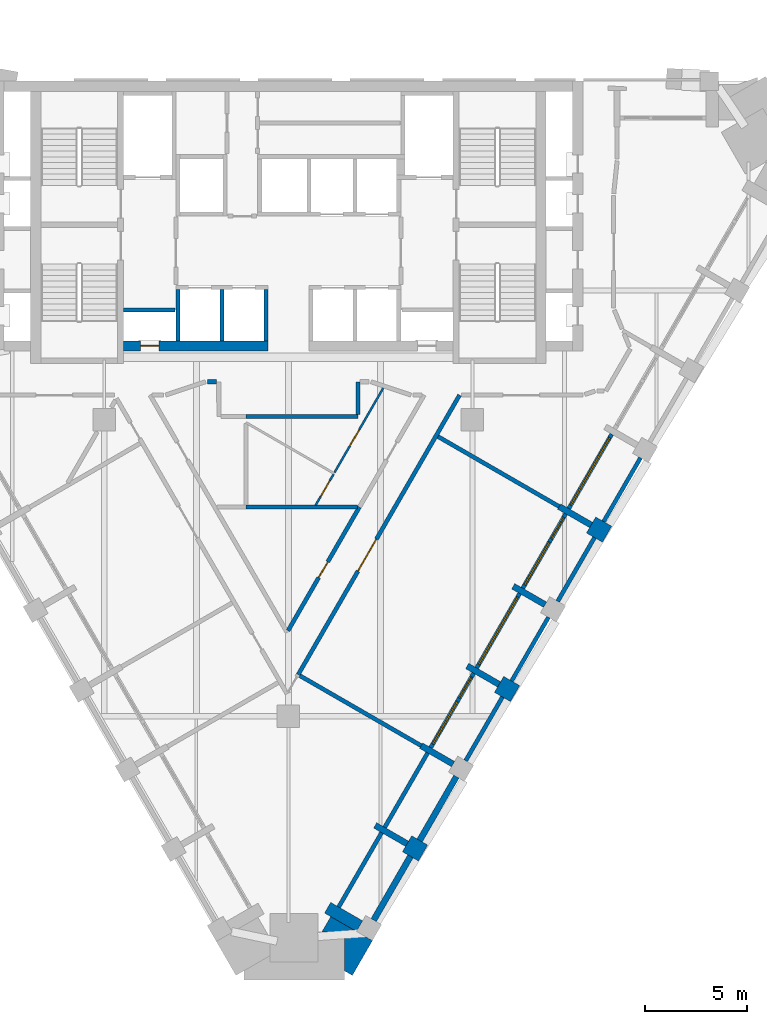
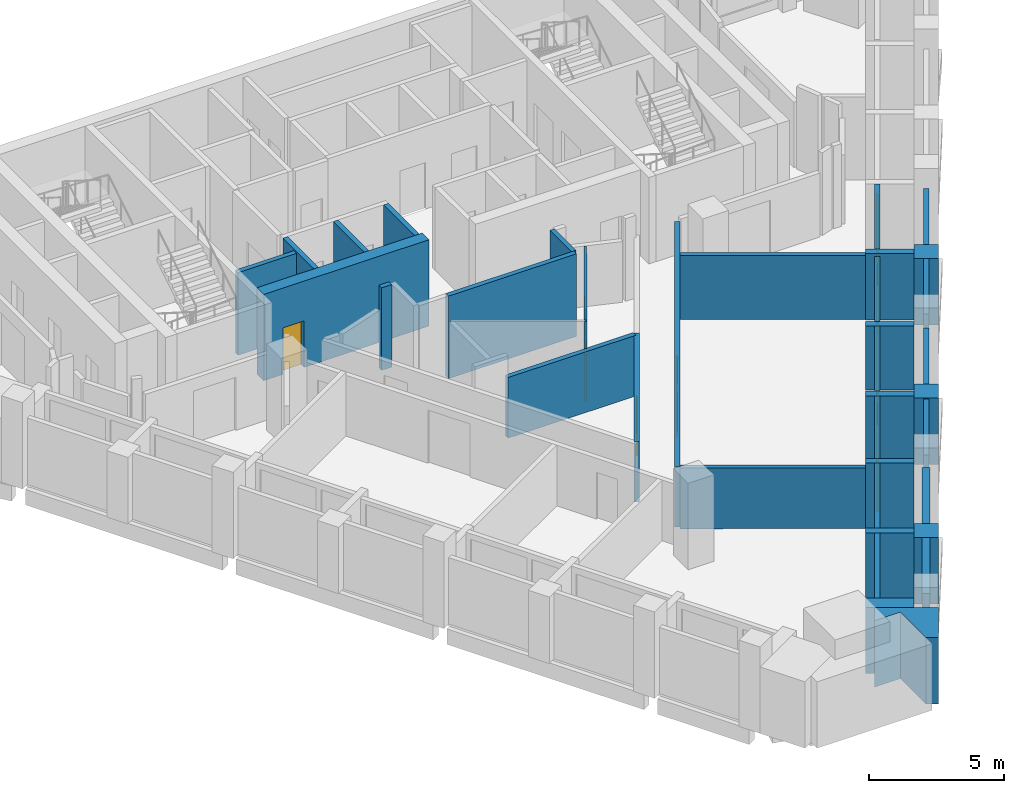
# One storey, part 4 of 9: 37 walls, 7 doors, 4 windows, 11 openings.
"""IFC4 building model written with IfcOpenShell, lengths in metres."""

from ifc_helpers import new_model, si_unit, direction, frame, frame_2d, origin, place, context, subcontext, project, spatial, polyline, rectangle, outline, extrude, material, layer, layer_set, type_object, element, fill, save


model = new_model("IFC4")

# Units and contexts
model_context = context("Model", 3, precision=1e-05, world=origin(), true_north=direction((0.0, 1.0)))
body_context = subcontext(model_context, "Body", "Model", "MODEL_VIEW")
ifc_project = project(units=[si_unit("LENGTHUNIT", "METRE"), si_unit("AREAUNIT", "SQUARE_METRE"), si_unit("VOLUMEUNIT", "CUBIC_METRE"), si_unit("PLANEANGLEUNIT", "RADIAN"), si_unit("MASSUNIT", "GRAM", prefix="KILO")], contexts=[model_context])

# Site, building, storey
site_placement = place(None, origin())
site = spatial("IfcSite", under=ifc_project, at=site_placement, CompositionType="ELEMENT")
building_placement = place(site_placement, origin())
building = spatial("IfcBuilding", under=site, at=building_placement, Name="Calabash Gate Tower", CompositionType="ELEMENT")
storey_placement = place(building_placement, frame((0.0, 0.0, 235.39990234375)))
storey = spatial("IfcBuildingStorey", under=building, at=storey_placement, Name="L56", CompositionType="ELEMENT", Elevation=235.39990234375)

# Walls
ifc_material_1 = material(Name="Terracotta brick masonry, exposed face", Category="masonry")
ifc_layer_1 = layer(ifc_material_1, 2.35009765625)
ifc_layer_set_1 = layer_set([ifc_layer_1], Name="Brick corner mass wall 2350")
wall_type_1 = type_object("IfcWallType", Name="Brick corner mass wall 2350", PredefinedType="SOLIDWALL", material=ifc_layer_set_1)
wall_1_placement = place(storey_placement, origin())
element("IfcWall", 1, at=wall_1_placement, inside=storey, type_object=wall_type_1, Name="Brick corner pier S16 2c", PredefinedType="SOLIDWALL", context=body_context, shape_type="SweptSolid", body=[
    extrude(outline(polyline([(4.11083984375, -22.9794921875), (2.07568359375, -21.804443359375), (1.6435546875, -22.552978515625), (2.740478515625, -22.552978515625), (2.740478515625, -24.452880859375), (3.130126953125, -24.677978515625), (4.11083984375, -22.9794921875)])), origin(), (0.0, 0.0, 1.0), 3.0),
])
ifc_material_2 = material(Name="Terracotta brick masonry, exposed face", Category="masonry")
ifc_layer_2 = layer(ifc_material_2, 0.89990234375)
ifc_layer_set_2 = layer_set([ifc_layer_2], Name="Brick end wall 900")
wall_type_2 = type_object("IfcWallType", Name="Brick end wall 900", PredefinedType="SOLIDWALL", material=ifc_layer_set_2)
for number, where, z_axis, x_axis, name in (
    (2, (5.970947265625, -18.857421875, 0.0), (0.0, 0.0, 1.0), (0.499902469156, 0.866081705922, 0.0), "Brick pier S16 SE2.1"),
    (3, (10.9208984375, -10.28369140625, 0.0), (0.0, 0.0, 1.0), (-0.499902469156, -0.866081705922, 0.0), "Brick pier S16 SE2.3"),
):
    element("IfcWall", number, at=place(storey_placement, frame(where, z_axis=z_axis, x_axis=x_axis)), inside=storey, type_object=wall_type_2, Name=name, PredefinedType="SOLIDWALL", context=body_context, shape_type="SweptSolid", body=[
        extrude(rectangle(XDim=0.900146484375, YDim=0.89990234375, at=frame_2d((0.4501953125, 0.0))), origin(), (0.0, 0.0, 1.0), 3.0),
    ])
wall_2_placement = place(storey_placement, frame((15.585693359375, -3.104248046875, 0.0), z_axis=(0.0, 0.0, 1.0), x_axis=(-0.866013897511, 0.50001992892, 0.0)))
element("IfcWall", 4, at=wall_2_placement, inside=storey, type_object=wall_type_2, Name="Brick pier S16 SE2.5", PredefinedType="SOLIDWALL", context=body_context, shape_type="SweptSolid", body=[
    extrude(rectangle(XDim=0.89990234375, YDim=0.89990234375, at=frame_2d((0.449951171875, 0.0))), origin(), (0.0, 0.0, 1.0), 3.0),
])
ifc_material_3 = material(Name="Terracotta brick masonry, exposed face", Category="masonry")
ifc_layer_3 = layer(ifc_material_3, 0.300048828125)
ifc_layer_set_3 = layer_set([ifc_layer_3], Name="Brick infill panel wall 300")
wall_type_3 = type_object("IfcWallType", Name="Brick infill panel wall 300", PredefinedType="SOLIDWALL", material=ifc_layer_set_3)
wall_3_placement = place(storey_placement, frame((4.171875, -21.9736328125, 0.0), z_axis=(0.0, 0.0, 1.0), x_axis=(0.499984792966, 0.866034183392, 0.0)))
element("IfcWall", 5, at=wall_3_placement, inside=storey, type_object=wall_type_3, Name="Brick panel S16 SE2.1", PredefinedType="SOLIDWALL", context=body_context, shape_type="SweptSolid", body=[
    extrude(rectangle(XDim=3.59814453125, YDim=0.300048828125, at=frame_2d((1.799072265625, 0.0))), origin(), (0.0, 0.0, 1.0), 3.0),
])
wall_4_placement = place(storey_placement, frame((8.220703125, -14.960693359375, 0.0), z_axis=(0.0, 0.0, 1.0), x_axis=(-0.50001992892, -0.866013897511, 0.0)))
element("IfcWall", 6, at=wall_4_placement, inside=storey, type_object=wall_type_3, Name="Brick panel S16 SE2.2", PredefinedType="SOLIDWALL", context=body_context, shape_type="SweptSolid", body=[
    extrude(rectangle(XDim=3.599365234375, YDim=0.300048828125, at=frame_2d((1.7998046875, 0.0))), origin(), (0.0, 0.0, 1.0), 3.0),
])
ifc_material_4 = material(Name="Terracotta brick masonry, exposed face", Category="masonry")
ifc_layer_4 = layer(ifc_material_4, 0.300048828125)
ifc_layer_set_4 = layer_set([ifc_layer_4], Name="Brick loggia cheek wall 300")
wall_type_4 = type_object("IfcWallType", Name="Brick loggia cheek wall 300", PredefinedType="SOLIDWALL", material=ifc_layer_set_4)
wall_5_placement = place(storey_placement, frame((3.481201171875, -22.269775390625, 0.0), z_axis=(0.0, 0.0, 1.0), x_axis=(-0.865989075817, 0.500062916607, 0.0)))
element("IfcWall", 7, at=wall_5_placement, inside=storey, type_object=wall_type_4, Name="Loggia cheek S16 SE2.0", PredefinedType="SOLIDWALL", context=body_context, shape_type="SweptSolid", body=[
    extrude(rectangle(XDim=1.800048828125, YDim=0.60009765625, at=frame_2d((0.89990234375, 0.0))), origin(), (0.0, 0.0, 1.0), 3.0),
])
for number, where, z_axis, x_axis, name in (
    (8, (4.24755859375, -17.3427734375, 0.0), (0.0, 0.0, 1.0), (0.866047807691, -0.499961193289, 0.0), "Loggia cheek S16 SE2.1"),
    (9, (8.056396484375, -14.345458984375, 0.0), (0.0, 0.0, 1.0), (-0.866047807691, 0.499961193289, 0.0), "Loggia cheek S16 SE2.2"),
):
    element("IfcWall", number, at=place(storey_placement, frame(where, z_axis=z_axis, x_axis=x_axis)), inside=storey, type_object=wall_type_4, Name=name, PredefinedType="SOLIDWALL", context=body_context, shape_type="SweptSolid", body=[
        extrude(rectangle(XDim=1.800048828125, YDim=0.300048828125, at=frame_2d((0.89990234375, 0.0))), origin(), (0.0, 0.0, 1.0), 3.0),
    ])
wall_6_placement = place(storey_placement, frame((8.74755859375, -9.54833984375, 0.0), z_axis=(0.0, 0.0, 1.0), x_axis=(0.865989075817, -0.500062916607, 0.0)))
element("IfcWall", 10, at=wall_6_placement, inside=storey, type_object=wall_type_4, Name="Loggia cheek S16 SE2.3", PredefinedType="SOLIDWALL", context=body_context, shape_type="SweptSolid", body=[
    extrude(rectangle(XDim=1.800048828125, YDim=0.300048828125, at=frame_2d((0.89990234375, 0.0))), origin(), (0.0, 0.0, 1.0), 2.88427734375),
])
wall_7_placement = place(storey_placement, frame((12.55615234375, -6.55126953125, 0.0), z_axis=(0.0, 0.0, 1.0), x_axis=(-0.866013897511, 0.50001992892, 0.0)))
element("IfcWall", 11, at=wall_7_placement, inside=storey, type_object=wall_type_4, Name="Loggia cheek S16 SE2.4", PredefinedType="SOLIDWALL", context=body_context, shape_type="SweptSolid", body=[
    extrude(rectangle(XDim=1.7998046875, YDim=0.300048828125, at=frame_2d((0.89990234375, 0.0))), origin(), (0.0, 0.0, 1.0), 2.88427734375),
])
wall_8_placement = place(storey_placement, frame((13.24755859375, -1.754150390625, 0.0), z_axis=(0.0, 0.0, 1.0), x_axis=(0.865989075817, -0.500062916607, 0.0)))
element("IfcWall", 12, at=wall_8_placement, inside=storey, type_object=wall_type_4, Name="Loggia cheek S16 SE2.5", PredefinedType="SOLIDWALL", context=body_context, shape_type="SweptSolid", body=[
    extrude(rectangle(XDim=1.800048828125, YDim=0.300048828125, at=frame_2d((0.89990234375, 0.0))), origin(), (0.0, 0.0, 1.0), 3.0),
])

# Wall, opening, door
ifc_material_5 = material(Name="Concrete C70/85", Category="concrete")
ifc_layer_5 = layer(ifc_material_5, 0.5)
ifc_layer_set_5 = layer_set([ifc_layer_5], Name="Core wall 500 Concrete C70/85")
wall_type_5 = type_object("IfcWallType", Name="Core wall 500 Concrete C70/85", PredefinedType="SHEAR", material=ifc_layer_set_5)
wall_9_placement = place(storey_placement, frame((-8.050048828125, 6.1025390625, 0.0), z_axis=(0.0, 0.0, 1.0), x_axis=(1.0, 0.0, 0.0)))
wall_9 = element("IfcWall", 13, at=wall_9_placement, inside=storey, type_object=wall_type_5, Name="Core wall Z4-SA L56", PredefinedType="SHEAR", context=body_context, shape_type="SweptSolid", body=[
    extrude(rectangle(XDim=7.050048828125, YDim=0.5, at=frame_2d((3.52490234375, 0.0))), origin(), (0.0, 0.0, 1.0), 3.900146484375),
])
opening_1_placement = place(wall_9_placement, frame((0.824951171875, 0.0, 0.0)))
opening_1 = element("IfcOpeningElement", 14, at=opening_1_placement, cuts=wall_9, Name="Opening O8-016", PredefinedType="OPENING", context=body_context, shape_type="SweptSolid", body=[
    extrude(rectangle(XDim=0.89990234375, YDim=2.10009765625, at=frame_2d((0.449951171875, 1.050048828125))), frame((0.0, 0.260009765625, 0.0), z_axis=(0.0, -1.0, 0.0), x_axis=(1.0, 0.0, 0.0)), (0.0, 0.0, 1.0), 0.52001953125),
])
ifc_material_6 = material(Name="Steel fire door set with fire-resisting glazing", Category="steel")
door_type_1 = type_object("IfcDoorType", Name="Fire door D07 900x2100 FD90", OperationType="NOTDEFINED", PredefinedType="DOOR", material=ifc_material_6)
door_1_placement = place(opening_1_placement, origin())
door_1 = element("IfcDoor", 15, at=door_1_placement, inside=storey, type_object=door_type_1, Name="Electrical Riser W door", OperationType="SINGLE_SWING_LEFT", OverallHeight=2.10009765625, OverallWidth=0.89990234375, PredefinedType="DOOR", context=body_context, shape_type="SweptSolid", body=[
    extrude(rectangle(XDim=0.89990234375, YDim=2.10009765625, at=frame_2d((0.449951171875, 1.050048828125))), frame((0.0, 0.02490234375, 0.0), z_axis=(0.0, -1.0, 0.0), x_axis=(1.0, 0.0, 0.0)), (0.0, 0.0, 1.0), 0.050048828125),
])
fill(opening_1, door_1)

ifc_material_7 = material(Name="Gypsum board on steel studs, mineral wool", Category="steel")
ifc_layer_6 = layer(ifc_material_7, 0.10009765625)
ifc_layer_set_6 = layer_set([ifc_layer_6], Name="Partition 100 gypsum board")
wall_type_6 = type_object("IfcWallType", Name="Partition 100 gypsum board", PredefinedType="PARTITIONING", material=ifc_layer_set_6)
wall_10_placement = place(storey_placement, frame((1.330810546875, -1.691162109375, 0.0), z_axis=(0.0, 0.0, 1.0), x_axis=(0.500723196883, 0.865607463059, 0.0)))
wall_10 = element("IfcWall", 16, at=wall_10_placement, inside=storey, type_object=wall_type_6, Name="Partition", PredefinedType="PARTITIONING", context=body_context, shape_type="SweptSolid", body=[
    extrude(rectangle(XDim=1.75244140625, YDim=0.10009765625, at=frame_2d((0.876220703125, 0.0))), origin(), (0.0, 0.0, 1.0), 2.74169921875),
])
opening_2_placement = place(wall_10_placement, frame((0.501708984375, 0.0, 0.0)))
opening_2 = element("IfcOpeningElement", 17, at=opening_2_placement, cuts=wall_10, Name="Opening 55-57-013", PredefinedType="OPENING", context=body_context, shape_type="SweptSolid", body=[
    extrude(rectangle(XDim=0.89990234375, YDim=2.10009765625, at=frame_2d((0.449951171875, 1.050048828125))), frame((0.0, 0.06005859375, 0.0), z_axis=(0.0, -1.0, 0.0), x_axis=(1.0, 0.0, 0.0)), (0.0, 0.0, 1.0), 0.1201171875),
])
ifc_material_8 = material(Name="Painted timber door", Category="wood")
door_type_2 = type_object("IfcDoorType", Name="WD1 WC door 900x2100", OperationType="NOTDEFINED", PredefinedType="DOOR", material=ifc_material_8)
door_2_placement = place(opening_2_placement, origin())
door_2 = element("IfcDoor", 18, at=door_2_placement, inside=storey, type_object=door_type_2, Name="WC door", OperationType="SINGLE_SWING_RIGHT", OverallHeight=2.10009765625, OverallWidth=0.89990234375, PredefinedType="DOOR", context=body_context, shape_type="SweptSolid", body=[
    extrude(rectangle(XDim=0.89990234375, YDim=2.10009765625, at=frame_2d((0.449951171875, 1.050048828125))), frame((0.0, 0.02490234375, 0.0), z_axis=(0.0, -1.0, 0.0), x_axis=(1.0, 0.0, 0.0)), (0.0, 0.0, 1.0), 0.050048828125),
])
fill(opening_2, door_2)

wall_11_placement = place(storey_placement, frame((2.25830078125, -0.08740234375, 0.0), z_axis=(0.0, 0.0, 1.0), x_axis=(0.499684056676, 0.866207736922, 0.0)))
wall_11 = element("IfcWall", 19, at=wall_11_placement, inside=storey, type_object=wall_type_6, Name="Partition", PredefinedType="PARTITIONING", context=body_context, shape_type="SweptSolid", body=[
    extrude(rectangle(XDim=4.7705078125, YDim=0.10009765625, at=frame_2d((2.38525390625, 0.0))), origin(), (0.0, 0.0, 1.0), 2.74169921875),
])
opening_3_placement = place(wall_11_placement, frame((1.5126953125, 0.0, 0.0)))
opening_3 = element("IfcOpeningElement", 20, at=opening_3_placement, cuts=wall_11, Name="Opening 55-57-014", PredefinedType="OPENING", context=body_context, shape_type="SweptSolid", body=[
    extrude(rectangle(XDim=0.89990234375, YDim=2.10009765625, at=frame_2d((0.449951171875, 1.050048828125))), frame((0.0, 0.06005859375, 0.0), z_axis=(0.0, -1.0, 0.0), x_axis=(1.0, 0.0, 0.0)), (0.0, 0.0, 1.0), 0.1201171875),
])
door_3_placement = place(opening_3_placement, origin())
door_3 = element("IfcDoor", 21, at=door_3_placement, inside=storey, type_object=door_type_2, Name="WC door", OperationType="SINGLE_SWING_LEFT", OverallHeight=2.10009765625, OverallWidth=0.89990234375, PredefinedType="DOOR", context=body_context, shape_type="SweptSolid", body=[
    extrude(rectangle(XDim=0.89990234375, YDim=2.10009765625, at=frame_2d((0.449951171875, 1.050048828125))), frame((0.0, 0.02490234375, 0.0), z_axis=(0.0, -1.0, 0.0), x_axis=(1.0, 0.0, 0.0)), (0.0, 0.0, 1.0), 0.050048828125),
])
fill(opening_3, door_3)

# Wall
ifc_material_9 = material(Name="Gypsum board on steel studs, mineral wool", Category="steel")
ifc_layer_7 = layer(ifc_material_9, 0.199951171875)
ifc_layer_set_7 = layer_set([ifc_layer_7], Name="Partition 200 gypsum board EI 60")
wall_type_7 = type_object("IfcWallType", Name="Partition 200 gypsum board EI 60", PredefinedType="PARTITIONING", material=ifc_layer_set_7)
wall_12_placement = place(storey_placement, frame((0.564697265625, -10.0224609375, 0.0), z_axis=(0.0, 0.0, 1.0), x_axis=(0.866127427728, -0.499823247696, 0.0)))
element("IfcWall", 22, at=wall_12_placement, inside=storey, type_object=wall_type_7, Name="Partition", PredefinedType="PARTITIONING", context=body_context, shape_type="SweptSolid", body=[
    extrude(rectangle(XDim=6.849609375, YDim=0.199951171875, at=frame_2d((3.4248046875, 0.0))), origin(), (0.0, 0.0, 1.0), 2.74169921875),
])

# Wall, opening, door
wall_13_placement = place(storey_placement, frame((-0.0126953125, -7.821044921875, 0.0), z_axis=(0.0, 0.0, 1.0), x_axis=(0.499774962009, 0.866155290551, 0.0)))
wall_13 = element("IfcWall", 23, at=wall_13_placement, inside=storey, type_object=wall_type_7, Name="Partition", PredefinedType="PARTITIONING", context=body_context, shape_type="SweptSolid", body=[
    extrude(rectangle(XDim=6.976806640625, YDim=0.199951171875, at=frame_2d((3.48828125, 0.0))), origin(), (0.0, 0.0, 1.0), 2.74169921875),
])
opening_4_placement = place(wall_13_placement, frame((2.989013671875, 0.0, 0.0)))
opening_4 = element("IfcOpeningElement", 24, at=opening_4_placement, cuts=wall_13, Name="Opening 55-57-005", PredefinedType="OPENING", context=body_context, shape_type="SweptSolid", body=[
    extrude(rectangle(XDim=0.89990234375, YDim=2.10009765625, at=frame_2d((0.449951171875, 1.050048828125))), frame((0.0, 0.10986328125, 0.0), z_axis=(0.0, -1.0, 0.0), x_axis=(1.0, 0.0, 0.0)), (0.0, 0.0, 1.0), 0.219970703125),
])
ifc_material_10 = material(Name="Steel fire door set with fire-resisting glazing", Category="steel")
door_type_3 = type_object("IfcDoorType", Name="SD3 Store door 900x2100", OperationType="NOTDEFINED", PredefinedType="DOOR", material=ifc_material_10)
door_4_placement = place(opening_4_placement, origin())
door_4 = element("IfcDoor", 25, at=door_4_placement, inside=storey, type_object=door_type_3, Name="Store door", OperationType="SINGLE_SWING_LEFT", OverallHeight=2.10009765625, OverallWidth=0.89990234375, PredefinedType="DOOR", context=body_context, shape_type="SweptSolid", body=[
    extrude(rectangle(XDim=0.89990234375, YDim=2.10009765625, at=frame_2d((0.449951171875, 1.050048828125))), frame((0.0, 0.02490234375, 0.0), z_axis=(0.0, -1.0, 0.0), x_axis=(1.0, 0.0, 0.0)), (0.0, 0.0, 1.0), 0.050048828125),
])
fill(opening_4, door_4)

# Walls
wall_14_placement = place(storey_placement, frame((-2.0712890625, -1.77587890625, 0.0), z_axis=(0.0, 0.0, 1.0), x_axis=(1.0, 0.0, 0.0)))
element("IfcWall", 26, at=wall_14_placement, inside=storey, type_object=wall_type_7, Name="Partition", PredefinedType="PARTITIONING", context=body_context, shape_type="SweptSolid", body=[
    extrude(rectangle(XDim=5.44775390625, YDim=0.199951171875, at=frame_2d((2.723876953125, 0.0))), origin(), (0.0, 0.0, 1.0), 2.74169921875),
])
wall_15_placement = place(storey_placement, frame((7.31591796875, 1.6708984375, 0.0), z_axis=(0.0, 0.0, 1.0), x_axis=(0.866023543838, -0.500003221507, 0.0)))
element("IfcWall", 27, at=wall_15_placement, inside=storey, type_object=wall_type_7, Name="Partition", PredefinedType="PARTITIONING", context=body_context, shape_type="SweptSolid", body=[
    extrude(rectangle(XDim=6.849609375, YDim=0.199951171875, at=frame_2d((3.4248046875, 0.0))), origin(), (0.0, 0.0, 1.0), 2.88427734375),
])
wall_16_placement = place(storey_placement, frame((-2.0712890625, 2.650634765625, 0.0), z_axis=(0.0, 0.0, 1.0), x_axis=(0.99999995122, 0.0003123466, 0.0)))
element("IfcWall", 28, at=wall_16_placement, inside=storey, type_object=wall_type_7, Name="Partition", PredefinedType="PARTITIONING", context=body_context, shape_type="SweptSolid", body=[
    extrude(rectangle(XDim=5.471435546875, YDim=0.199951171875, at=frame_2d((2.73583984375, 0.0))), origin(), (0.0, 0.0, 1.0), 3.72998046875),
])

# Wall, opening, door
wall_17_placement = place(storey_placement, frame((0.480224609375, -9.9716796875, 0.0), z_axis=(0.0, 0.0, 1.0), x_axis=(0.499998248741, 0.866026414872, 0.0)))
wall_17 = element("IfcWall", 29, at=wall_17_placement, inside=storey, type_object=wall_type_7, Name="Partition", PredefinedType="PARTITIONING", context=body_context, shape_type="SweptSolid", body=[
    extrude(rectangle(XDim=15.78515625, YDim=0.199951171875, at=frame_2d((7.892578125, 0.0))), origin(), (0.0, 0.0, 1.0), 2.74169921875),
])
opening_5_placement = place(wall_17_placement, frame((5.85009765625, 0.0, 0.0)))
opening_5 = element("IfcOpeningElement", 30, at=opening_5_placement, cuts=wall_17, Name="Opening 55-57-003", PredefinedType="OPENING", context=body_context, shape_type="SweptSolid", body=[
    extrude(rectangle(XDim=1.800048828125, YDim=2.39990234375, at=frame_2d((0.89990234375, 1.199951171875))), frame((0.0, 0.10986328125, 0.0), z_axis=(0.0, -1.0, 0.0), x_axis=(1.0, 0.0, 0.0)), (0.0, 0.0, 1.0), 0.219970703125),
])
ifc_material_11 = material(Name="Steel fire door set with fire-resisting glazing", Category="steel")
door_type_4 = type_object("IfcDoorType", Name="OD5 Open office double door 1800x2400", OperationType="NOTDEFINED", PredefinedType="DOOR", material=ifc_material_11)
door_5_placement = place(opening_5_placement, origin())
door_5 = element("IfcDoor", 31, at=door_5_placement, inside=storey, type_object=door_type_4, Name="Open office double door", OperationType="DOUBLE_DOOR_SINGLE_SWING", OverallHeight=2.39990234375, OverallWidth=1.800048828125, PredefinedType="DOOR", context=body_context, shape_type="SweptSolid", body=[
    extrude(rectangle(XDim=1.800048828125, YDim=2.39990234375, at=frame_2d((0.89990234375, 1.199951171875))), frame((0.0, 0.02490234375, 0.0), z_axis=(0.0, -1.0, 0.0), x_axis=(1.0, 0.0, 0.0)), (0.0, 0.0, 1.0), 0.050048828125),
])
fill(opening_5, door_5)

# Walls
wall_18_placement = place(storey_placement, frame((-3.9423828125, 4.35205078125, 0.0), z_axis=(0.0, 0.0, 1.0), x_axis=(0.999996159087, -0.00277160798, 0.0)))
element("IfcWall", 32, at=wall_18_placement, inside=storey, type_object=wall_type_7, Name="Partition", PredefinedType="PARTITIONING", context=body_context, shape_type="SweptSolid", body=[
    extrude(rectangle(XDim=0.4404296875, YDim=0.199951171875, at=frame_2d((0.22021484375, 0.0))), origin(), (0.0, 0.0, 1.0), 3.72998046875),
])
wall_19_placement = place(storey_placement, frame((3.400146484375, 2.75244140625, 0.0), z_axis=(0.0, 0.0, 1.0), x_axis=(0.001222119466, 0.999999253212, 0.0)))
element("IfcWall", 33, at=wall_19_placement, inside=storey, type_object=wall_type_7, Name="Partition", PredefinedType="PARTITIONING", context=body_context, shape_type="SweptSolid", body=[
    extrude(rectangle(XDim=1.59814453125, YDim=0.199951171875, at=frame_2d((0.799072265625, 0.0))), origin(), (0.0, 0.0, 1.0), 3.72998046875),
])
ifc_material_12 = material(Name="Concrete C40/50", Category="concrete")
ifc_layer_8 = layer(ifc_material_12, 0.199951171875)
ifc_layer_set_8 = layer_set([ifc_layer_8], Name="Shaft wall 200 Concrete C40/50")
wall_type_8 = type_object("IfcWallType", Name="Shaft wall 200 Concrete C40/50", PredefinedType="SOLIDWALL", material=ifc_layer_set_8)
for number, where, z_axis, x_axis, name in (
    (34, (-5.39990234375, 6.3525390625, 0.0), (0.0, 0.0, 1.0), (0.0, 1.0, 0.0), "Shaft wall"),
    (35, (-3.25, 6.3525390625, 0.0), (0.0, 0.0, 1.0), (0.0, 1.0, 0.0), "Shaft wall"),
    (36, (-1.10009765625, 6.3525390625, 0.0), (0.0, 0.0, 1.0), (0.0, 1.0, 0.0), "Shaft wall"),
    (37, (-8.050048828125, 7.8525390625, 0.0), (0.0, 0.0, 1.0), (1.0, 0.0, 0.0), "Shaft wall"),
):
    element("IfcWall", number, at=place(storey_placement, frame(where, z_axis=z_axis, x_axis=x_axis)), inside=storey, type_object=wall_type_8, Name=name, PredefinedType="SOLIDWALL", context=body_context, shape_type="SweptSolid", body=[
        extrude(rectangle(XDim=2.5, YDim=0.199951171875, at=frame_2d((1.25, 0.0))), origin(), (0.0, 0.0, 1.0), 3.72998046875),
    ])
ifc_material_13 = material(Name="Terracotta brick masonry, perforated", Category="masonry")
ifc_layer_9 = layer(ifc_material_13, 0.199951171875)
ifc_layer_set_9 = layer_set([ifc_layer_9], Name="Terracotta jaali screen B")
wall_type_9 = type_object("IfcWallType", Name="Terracotta jaali screen B", PredefinedType="SOLIDWALL", material=ifc_layer_set_9)
wall_20_placement = place(storey_placement, frame((8.6708984375, -14.180908203125, 0.0), z_axis=(0.0, 0.0, 1.0), x_axis=(0.500012057535, 0.866018442252, 0.0)))
element("IfcWall", 38, at=wall_20_placement, inside=storey, type_object=wall_type_9, Name="SCREEN B S16 SE2.3", PredefinedType="SOLIDWALL", context=body_context, shape_type="SweptSolid", body=[
    extrude(rectangle(XDim=3.60009765625, YDim=0.199951171875, at=frame_2d((1.800048828125, 0.0))), origin(), (0.0, 0.0, 1.0), 2.9501953125),
])
for number, where, z_axis, x_axis, name in (
    (39, (10.9208984375, -10.28369140625, 0.0), (0.0, 0.0, 1.0), (0.500012057535, 0.866018442252, 0.0), "SCREEN B S16 SE2.4"),
    (40, (13.1708984375, -6.38671875, 0.0), (0.0, 0.0, 1.0), (0.500012057535, 0.866018442252, 0.0), "SCREEN B S16 SE2.5"),
    (41, (15.4208984375, -2.489501953125, 0.0), (0.0, 0.0, 1.0), (0.500012057535, 0.866018442252, 0.0), "SCREEN B S16 SE2.6"),
):
    element("IfcWall", number, at=place(storey_placement, frame(where, z_axis=z_axis, x_axis=x_axis)), inside=storey, type_object=wall_type_9, Name=name, PredefinedType="SOLIDWALL", context=body_context, shape_type="SweptSolid", body=[
        extrude(rectangle(XDim=3.60009765625, YDim=0.199951171875, at=frame_2d((1.800048828125, 0.0))), origin(), (0.0, 0.0, 1.0), 3.0),
    ])
ifc_material_14 = material(Name="Aluminium framed window wall with insulated spandrel", Category="aluminium")
ifc_layer_10 = layer(ifc_material_14, 0.199951171875)
ifc_layer_set_10 = layer_set([ifc_layer_10], Name="Window wall 200")
wall_type_10 = type_object("IfcWallType", Name="Window wall 200", PredefinedType="ELEMENTEDWALL", material=ifc_layer_set_10)
wall_21_placement = place(storey_placement, frame((2.462158203125, -21.3349609375, 0.0), z_axis=(0.0, 0.0, 1.0), x_axis=(0.500002543286, 0.866023935413, 0.0)))
element("IfcWall", 42, at=wall_21_placement, inside=storey, type_object=wall_type_10, Name="Window wall S16 SE2.1", PredefinedType="ELEMENTEDWALL", context=body_context, shape_type="SweptSolid", body=[
    extrude(rectangle(XDim=4.2001953125, YDim=0.199951171875, at=frame_2d((2.10009765625, 0.0))), origin(), (0.0, 0.0, 1.0), 3.0),
])
wall_22_placement = place(storey_placement, frame((4.712158203125, -17.437744140625, 0.0), z_axis=(0.0, 0.0, 1.0), x_axis=(0.500027713859, 0.866009402589, 0.0)))
element("IfcWall", 43, at=wall_22_placement, inside=storey, type_object=wall_type_10, Name="Window wall S16 SE2.2", PredefinedType="ELEMENTEDWALL", context=body_context, shape_type="SweptSolid", body=[
    extrude(rectangle(XDim=4.199951171875, YDim=0.199951171875, at=frame_2d((2.10009765625, 0.0))), origin(), (0.0, 0.0, 1.0), 3.0),
])

# Wall, openings, door, window
wall_23_placement = place(storey_placement, frame((6.962158203125, -13.54052734375, 0.0), z_axis=(0.0, 0.0, 1.0), x_axis=(0.500027713859, 0.866009402589, 0.0)))
wall_23 = element("IfcWall", 44, at=wall_23_placement, inside=storey, type_object=wall_type_10, Name="Window wall S16 SE2.3", PredefinedType="ELEMENTEDWALL", context=body_context, shape_type="SweptSolid", body=[
    extrude(rectangle(XDim=4.199951171875, YDim=0.199951171875, at=frame_2d((2.10009765625, 0.0))), origin(), (0.0, 0.0, 1.0), 2.88427734375),
])
opening_6_placement = place(wall_23_placement, frame((0.199951171875, 0.0, 0.449951171875)))
opening_6 = element("IfcOpeningElement", 45, at=opening_6_placement, cuts=wall_23, Name="Opening OW1", PredefinedType="OPENING", context=body_context, shape_type="SweptSolid", body=[
    extrude(rectangle(XDim=2.39990234375, YDim=2.25, at=frame_2d((1.199951171875, 1.125))), frame((0.0, 0.10986328125, 0.0), z_axis=(0.0, -1.0, 0.0), x_axis=(1.0, 0.0, 0.0)), (0.0, 0.0, 1.0), 0.219970703125),
])
opening_7_placement = place(wall_23_placement, frame((2.800048828125, 0.0, 0.0)))
opening_7 = element("IfcOpeningElement", 46, at=opening_7_placement, cuts=wall_23, Name="Opening O8-022", PredefinedType="OPENING", context=body_context, shape_type="SweptSolid", body=[
    extrude(rectangle(XDim=1.199951171875, YDim=2.699951171875, at=frame_2d((0.60009765625, 1.35009765625))), frame((0.0, 0.10986328125, 0.0), z_axis=(0.0, -1.0, 0.0), x_axis=(1.0, 0.0, 0.0)), (0.0, 0.0, 1.0), 0.219970703125),
])
ifc_material_15 = material(Name="Anodised aluminium frame, bronze finish, impact-rated laminated clear glazing", Category="aluminium")
door_type_5 = type_object("IfcDoorType", Name="Loggia door DO1 1200x2700", OperationType="SLIDING_TO_LEFT", PredefinedType="DOOR", material=ifc_material_15)
door_6_placement = place(opening_7_placement, origin())
door_6 = element("IfcDoor", 47, at=door_6_placement, inside=storey, type_object=door_type_5, Name="Loggia door S16 SE2.3", OperationType="SINGLE_SWING_LEFT", OverallHeight=2.699951171875, OverallWidth=1.199951171875, PredefinedType="DOOR", context=body_context, shape_type="SweptSolid", body=[
    extrude(rectangle(XDim=1.199951171875, YDim=2.699951171875, at=frame_2d((0.60009765625, 1.35009765625))), frame((0.0, 0.02490234375, 0.0), z_axis=(0.0, -1.0, 0.0), x_axis=(1.0, 0.0, 0.0)), (0.0, 0.0, 1.0), 0.050048828125),
])
fill(opening_7, door_6)
ifc_material_16 = material(Name="Anodised aluminium frame, bronze finish, impact-rated laminated clear glazing", Category="aluminium")
window_type_1 = type_object("IfcWindowType", Name="Window OW1 2400x2250", PartitioningType="DOUBLE_PANEL_VERTICAL", PredefinedType="WINDOW", material=ifc_material_16)
window_1_placement = place(opening_6_placement, origin())
window_1 = element("IfcWindow", 48, at=window_1_placement, inside=storey, type_object=window_type_1, Name="Window OW1 S16 SE2.3", OverallHeight=2.25, OverallWidth=2.39990234375, PartitioningType="SINGLE_PANEL", PredefinedType="WINDOW", context=body_context, shape_type="SweptSolid", body=[
    extrude(rectangle(XDim=2.39990234375, YDim=2.25, at=frame_2d((1.199951171875, 1.125))), frame((0.0, 0.030029296875, 0.0), z_axis=(0.0, -1.0, 0.0), x_axis=(1.0, 0.0, 0.0)), (0.0, 0.0, 1.0), 0.06005859375),
])
fill(opening_6, window_1)

# Wall, opening, window
wall_24_placement = place(storey_placement, frame((9.212158203125, -9.6435546875, 0.0), z_axis=(0.0, 0.0, 1.0), x_axis=(0.500027713859, 0.866009402589, 0.0)))
wall_24 = element("IfcWall", 49, at=wall_24_placement, inside=storey, type_object=wall_type_10, Name="Window wall S16 SE2.4", PredefinedType="ELEMENTEDWALL", context=body_context, shape_type="SweptSolid", body=[
    extrude(rectangle(XDim=4.199951171875, YDim=0.199951171875, at=frame_2d((2.10009765625, 0.0))), origin(), (0.0, 0.0, 1.0), 2.88427734375),
])
opening_8_placement = place(wall_24_placement, frame((0.199951171875, 0.0, 0.449951171875)))
opening_8 = element("IfcOpeningElement", 50, at=opening_8_placement, cuts=wall_24, Name="Opening OW2", PredefinedType="OPENING", context=body_context, shape_type="SweptSolid", body=[
    extrude(rectangle(XDim=3.800048828125, YDim=2.25, at=frame_2d((1.89990234375, 1.125))), frame((0.0, 0.10986328125, 0.0), z_axis=(0.0, -1.0, 0.0), x_axis=(1.0, 0.0, 0.0)), (0.0, 0.0, 1.0), 0.219970703125),
])
ifc_material_17 = material(Name="Anodised aluminium frame, bronze finish, impact-rated laminated clear glazing", Category="aluminium")
window_type_2 = type_object("IfcWindowType", Name="Window OW2 3800x2250", PartitioningType="TRIPLE_PANEL_VERTICAL", PredefinedType="WINDOW", material=ifc_material_17)
window_2_placement = place(opening_8_placement, origin())
window_2 = element("IfcWindow", 51, at=window_2_placement, inside=storey, type_object=window_type_2, Name="Window OW2 S16 SE2.4", OverallHeight=2.25, OverallWidth=3.800048828125, PartitioningType="SINGLE_PANEL", PredefinedType="WINDOW", context=body_context, shape_type="SweptSolid", body=[
    extrude(rectangle(XDim=3.800048828125, YDim=2.25, at=frame_2d((1.89990234375, 1.125))), frame((0.0, 0.030029296875, 0.0), z_axis=(0.0, -1.0, 0.0), x_axis=(1.0, 0.0, 0.0)), (0.0, 0.0, 1.0), 0.06005859375),
])
fill(opening_8, window_2)

# Wall, openings, door, window
wall_25_placement = place(storey_placement, frame((11.462158203125, -5.746337890625, 0.0), z_axis=(0.0, 0.0, 1.0), x_axis=(0.500027713859, 0.866009402589, 0.0)))
wall_25 = element("IfcWall", 52, at=wall_25_placement, inside=storey, type_object=wall_type_10, Name="Window wall S16 SE2.5", PredefinedType="ELEMENTEDWALL", context=body_context, shape_type="SweptSolid", body=[
    extrude(rectangle(XDim=4.199951171875, YDim=0.199951171875, at=frame_2d((2.10009765625, 0.0))), origin(), (0.0, 0.0, 1.0), 2.88427734375),
])
opening_9_placement = place(wall_25_placement, frame((0.199951171875, 0.0, 0.449951171875)))
opening_9 = element("IfcOpeningElement", 53, at=opening_9_placement, cuts=wall_25, Name="Opening OW1", PredefinedType="OPENING", context=body_context, shape_type="SweptSolid", body=[
    extrude(rectangle(XDim=2.39990234375, YDim=2.25, at=frame_2d((1.199951171875, 1.125))), frame((0.0, 0.10986328125, 0.0), z_axis=(0.0, -1.0, 0.0), x_axis=(1.0, 0.0, 0.0)), (0.0, 0.0, 1.0), 0.219970703125),
])
opening_10_placement = place(wall_25_placement, frame((2.800048828125, 0.0, 0.0)))
opening_10 = element("IfcOpeningElement", 54, at=opening_10_placement, cuts=wall_25, Name="Opening O8-023", PredefinedType="OPENING", context=body_context, shape_type="SweptSolid", body=[
    extrude(rectangle(XDim=1.199951171875, YDim=2.699951171875, at=frame_2d((0.60009765625, 1.35009765625))), frame((0.0, 0.10986328125, 0.0), z_axis=(0.0, -1.0, 0.0), x_axis=(1.0, 0.0, 0.0)), (0.0, 0.0, 1.0), 0.219970703125),
])
door_7_placement = place(opening_10_placement, origin())
door_7 = element("IfcDoor", 55, at=door_7_placement, inside=storey, type_object=door_type_5, Name="Loggia door S16 SE2.5", OperationType="SINGLE_SWING_LEFT", OverallHeight=2.699951171875, OverallWidth=1.199951171875, PredefinedType="DOOR", context=body_context, shape_type="SweptSolid", body=[
    extrude(rectangle(XDim=1.199951171875, YDim=2.699951171875, at=frame_2d((0.60009765625, 1.35009765625))), frame((0.0, 0.02490234375, 0.0), z_axis=(0.0, -1.0, 0.0), x_axis=(1.0, 0.0, 0.0)), (0.0, 0.0, 1.0), 0.050048828125),
])
fill(opening_10, door_7)
window_3_placement = place(opening_9_placement, origin())
window_3 = element("IfcWindow", 56, at=window_3_placement, inside=storey, type_object=window_type_1, Name="Window OW1 S16 SE2.5", OverallHeight=2.25, OverallWidth=2.39990234375, PartitioningType="SINGLE_PANEL", PredefinedType="WINDOW", context=body_context, shape_type="SweptSolid", body=[
    extrude(rectangle(XDim=2.39990234375, YDim=2.25, at=frame_2d((1.199951171875, 1.125))), frame((0.0, 0.030029296875, 0.0), z_axis=(0.0, -1.0, 0.0), x_axis=(1.0, 0.0, 0.0)), (0.0, 0.0, 1.0), 0.06005859375),
])
fill(opening_9, window_3)

# Wall, opening, window
wall_26_placement = place(storey_placement, frame((13.712158203125, -1.849365234375, 0.0), z_axis=(0.0, 0.0, 1.0), x_axis=(0.500002543286, 0.866023935413, 0.0)))
wall_26 = element("IfcWall", 57, at=wall_26_placement, inside=storey, type_object=wall_type_10, Name="Window wall S16 SE2.6", PredefinedType="ELEMENTEDWALL", context=body_context, shape_type="SweptSolid", body=[
    extrude(rectangle(XDim=4.2001953125, YDim=0.199951171875, at=frame_2d((2.10009765625, 0.0))), origin(), (0.0, 0.0, 1.0), 3.0),
])
opening_11_placement = place(wall_26_placement, frame((0.199951171875, 0.0, 0.449951171875)))
opening_11 = element("IfcOpeningElement", 58, at=opening_11_placement, cuts=wall_26, Name="Opening OW2", PredefinedType="OPENING", context=body_context, shape_type="SweptSolid", body=[
    extrude(rectangle(XDim=3.800048828125, YDim=2.25, at=frame_2d((1.89990234375, 1.125))), frame((0.0, 0.10986328125, 0.0), z_axis=(0.0, -1.0, 0.0), x_axis=(1.0, 0.0, 0.0)), (0.0, 0.0, 1.0), 0.219970703125),
])
window_4_placement = place(opening_11_placement, origin())
window_4 = element("IfcWindow", 59, at=window_4_placement, inside=storey, type_object=window_type_2, Name="Window OW2 S16 SE2.6", OverallHeight=2.25, OverallWidth=3.800048828125, PartitioningType="SINGLE_PANEL", PredefinedType="WINDOW", context=body_context, shape_type="SweptSolid", body=[
    extrude(rectangle(XDim=3.800048828125, YDim=2.25, at=frame_2d((1.89990234375, 1.125))), frame((0.0, 0.030029296875, 0.0), z_axis=(0.0, -1.0, 0.0), x_axis=(1.0, 0.0, 0.0)), (0.0, 0.0, 1.0), 0.06005859375),
])
fill(opening_11, window_4)

save(model, "model.ifc")
